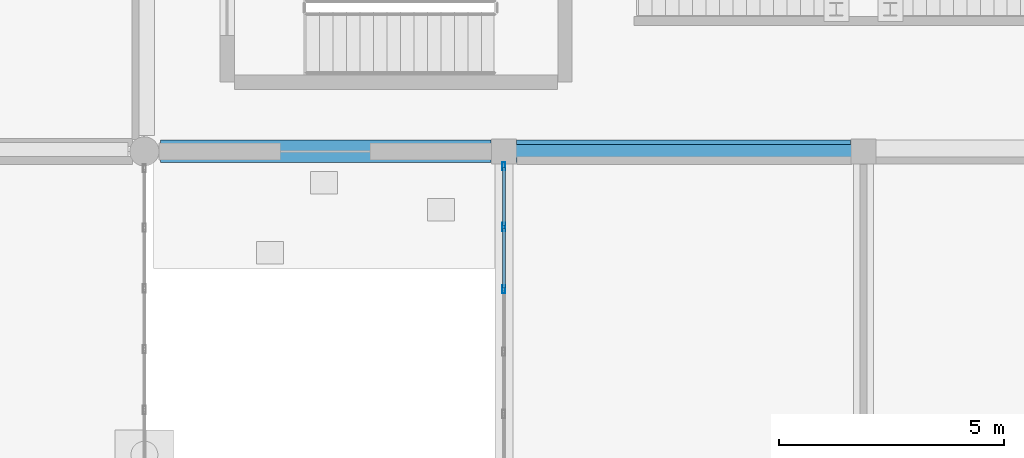
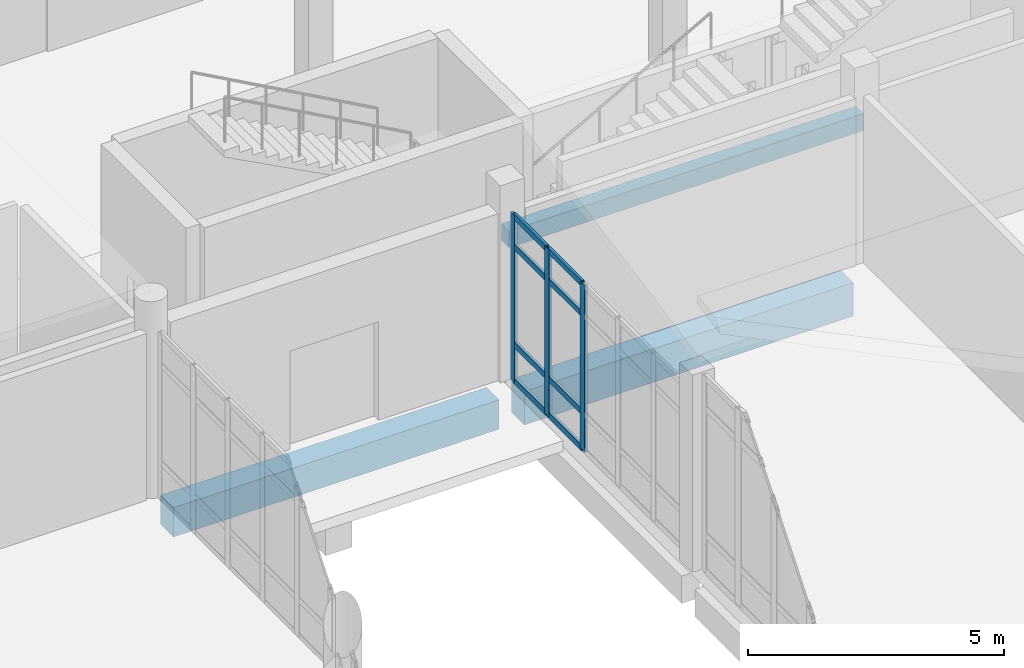
# One storey, part 79 of 173: 11 members, 3 beams, 1 element without a shape of its own.
"""IFC4 building model written with IfcOpenShell, lengths in metres."""

from ifc_helpers import new_model, si_unit, direction, frame, origin, origin_2d, place, context, subcontext, project, spatial, rectangle, hollow_rectangle, extrude, material, layer, layer_set, material_profile, profile_set, type_object, element, aggregate, save


model = new_model("IFC4")

# Units and contexts
model_context = context("Model", 3, precision=1e-05, world=origin(), true_north=direction((0.0, 1.0)))
body_context = subcontext(model_context, "Body", "Model", "MODEL_VIEW")
ifc_project = project(units=[si_unit("LENGTHUNIT", "METRE"), si_unit("AREAUNIT", "SQUARE_METRE"), si_unit("VOLUMEUNIT", "CUBIC_METRE"), si_unit("PLANEANGLEUNIT", "RADIAN"), si_unit("MASSUNIT", "GRAM", prefix="KILO")], contexts=[model_context])

# Site, building, storey
site_placement = place(None, origin())
site = spatial("IfcSite", under=ifc_project, at=site_placement, CompositionType="ELEMENT")
building_placement = place(site_placement, origin())
building = spatial("IfcBuilding", under=site, at=building_placement, Name="Mawjan Specialist Oncology Clinic", CompositionType="ELEMENT")
storey_placement = place(building_placement, origin())
storey = spatial("IfcBuildingStorey", under=building, at=storey_placement, Name="L00", CompositionType="ELEMENT", Elevation=0.0)

# Beam
ifc_material_1 = material(Name="Concrete C45/55", Category="concrete")
ifc_material_profile_1 = material_profile(ifc_material_1, rectangle(XDim=0.5, YDim=0.800048828125, at=origin_2d()), Name="RC BM 500x800", Category="concrete")
ifc_profile_set_1 = profile_set([ifc_material_profile_1], Name="Concrete C45/55")
beam_type_1 = type_object("IfcBeamType", Name="BM-500x800", PredefinedType="BEAM", material=ifc_profile_set_1)
beam_1_placement = place(storey_placement, frame((116.284912109375, 75.800048828125, -0.820068359375), z_axis=(1.0, 0.0, 0.0), x_axis=(0.0, 1.0, 0.0)))
element("IfcBeam", 1, at=beam_1_placement, inside=storey, type_object=beam_type_1, Name="L00 Collector Beam BM-L00-0020", PredefinedType="BEAM", context=body_context, shape_type="SweptSolid", body=[
    extrude(rectangle(XDim=0.5, YDim=0.800048828125, at=origin_2d()), origin(), (0.0, 0.0, 1.0), 7.43017578125),
])

# Curtain wall, members
ifc_material_2 = material(Name="Unitised spectrally selective aluminium curtain wall", Category="aluminium")
ifc_layer = layer(ifc_material_2, 0.179931640625, Name="Unitised spectrally selective aluminium curtain wall", Category="aluminium")
ifc_layer_set = layer_set([ifc_layer], Name="Unitised spectrally selective aluminium curtain wall")
curtain_wall_type = type_object("IfcCurtainWallType", Name="CW-30", PredefinedType="NOTDEFINED", material=ifc_layer_set)
curtain_wall_placement = place(storey_placement, origin())
curtain_wall = element("IfcCurtainWall", 2, at=curtain_wall_placement, inside=storey, type_object=curtain_wall_type, Name="L00 Unitised Curtain Wall CW-L00-066", PredefinedType="NOTDEFINED")
ifc_material_3 = material(Name="Thermally broken aluminium 6063-T6", Category="aluminium")
ifc_material_profile_2 = material_profile(ifc_material_3, hollow_rectangle(XDim=0.06494140625, YDim=0.179931640625, WallThickness=0.00390625, at=origin_2d()), Name="ALU MULLION 180x65x4", Category="aluminium")
ifc_profile_set_2 = profile_set([ifc_material_profile_2], Name="Thermally broken aluminium 6063-T6")
member_type_1 = type_object("IfcMemberType", Name="CW-M180", PredefinedType="MULLION", material=ifc_profile_set_2)
member_1_placement = place(storey_placement, frame((116.0, 72.73095703125, 0.0), z_axis=(0.0, 0.0, 1.0), x_axis=(-1.0, 0.0, 0.0)))
member_1 = element("IfcMember", 3, at=member_1_placement, type_object=member_type_1, Name="CW-30 mullion 4", PredefinedType="MULLION", context=body_context, shape_type="SweptSolid", body=[
    extrude(hollow_rectangle(XDim=0.06494140625, YDim=0.179931640625, WallThickness=0.00390625, at=origin_2d()), origin(), (0.0, 0.0, 1.0), 3.985107421875),
])
member_2_placement = place(storey_placement, frame((116.0, 74.117919921875, 0.0), z_axis=(0.0, 0.0, 1.0), x_axis=(-1.0, 0.0, 0.0)))
member_2 = element("IfcMember", 4, at=member_2_placement, type_object=member_type_1, Name="CW-30 mullion 5", PredefinedType="MULLION", context=body_context, shape_type="SweptSolid", body=[
    extrude(hollow_rectangle(XDim=0.06494140625, YDim=0.179931640625, WallThickness=0.00390625, at=origin_2d()), origin(), (0.0, 0.0, 1.0), 3.985107421875),
])
member_3_placement = place(storey_placement, frame((116.0, 75.472412109375, 0.0), z_axis=(0.0, 0.0, 1.0), x_axis=(-1.0, 0.0, 0.0)))
member_3 = element("IfcMember", 5, at=member_3_placement, type_object=member_type_1, Name="CW-30 mullion 6", PredefinedType="MULLION", context=body_context, shape_type="SweptSolid", body=[
    extrude(hollow_rectangle(XDim=0.06494140625, YDim=0.179931640625, WallThickness=0.00390625, at=origin_2d()), origin(), (0.0, 0.0, 1.0), 3.985107421875),
])
ifc_material_4 = material(Name="Thermally broken aluminium 6063-T6", Category="aluminium")
ifc_material_profile_3 = material_profile(ifc_material_4, hollow_rectangle(XDim=0.06494140625, YDim=0.139892578125, WallThickness=0.00390625, at=origin_2d()), Name="ALU TRANSOM 140x65x4", Category="aluminium")
ifc_profile_set_3 = profile_set([ifc_material_profile_3], Name="Thermally broken aluminium 6063-T6")
member_type_2 = type_object("IfcMemberType", Name="CW-T140", PredefinedType="USERDEFINED", material=ifc_profile_set_3)
member_4_placement = place(storey_placement, frame((116.0, 72.763427734375, 0.032470703125), z_axis=(0.0, 1.0, 0.0), x_axis=(-1.0, 0.0, 0.0)))
member_4 = element("IfcMember", 6, at=member_4_placement, type_object=member_type_2, Name="CW-30 transom 4.1", ObjectType="TRANSOM", PredefinedType="USERDEFINED", context=body_context, shape_type="SweptSolid", body=[
    extrude(hollow_rectangle(XDim=0.06494140625, YDim=0.139892578125, WallThickness=0.00390625, at=origin_2d()), origin(), (0.0, 0.0, 1.0), 1.322021484375),
])
member_5_placement = place(storey_placement, frame((116.0, 72.763427734375, 0.89990234375), z_axis=(0.0, 1.0, 0.0), x_axis=(-1.0, 0.0, 0.0)))
member_5 = element("IfcMember", 7, at=member_5_placement, type_object=member_type_2, Name="CW-30 transom 4.2", ObjectType="TRANSOM", PredefinedType="USERDEFINED", context=body_context, shape_type="SweptSolid", body=[
    extrude(hollow_rectangle(XDim=0.06494140625, YDim=0.139892578125, WallThickness=0.00390625, at=origin_2d()), origin(), (0.0, 0.0, 1.0), 1.322021484375),
])
member_6_placement = place(storey_placement, frame((116.0, 72.763427734375, 3.235107421875), z_axis=(0.0, 1.0, 0.0), x_axis=(-1.0, 0.0, 0.0)))
member_6 = element("IfcMember", 8, at=member_6_placement, type_object=member_type_2, Name="CW-30 transom 4.3", ObjectType="TRANSOM", PredefinedType="USERDEFINED", context=body_context, shape_type="SweptSolid", body=[
    extrude(hollow_rectangle(XDim=0.06494140625, YDim=0.139892578125, WallThickness=0.00390625, at=origin_2d()), origin(), (0.0, 0.0, 1.0), 1.322021484375),
])
member_7_placement = place(storey_placement, frame((116.0, 72.763427734375, 3.952392578125), z_axis=(0.0, 1.0, 0.0), x_axis=(-1.0, 0.0, 0.0)))
member_7 = element("IfcMember", 9, at=member_7_placement, type_object=member_type_2, Name="CW-30 transom 4.4", ObjectType="TRANSOM", PredefinedType="USERDEFINED", context=body_context, shape_type="SweptSolid", body=[
    extrude(hollow_rectangle(XDim=0.06494140625, YDim=0.139892578125, WallThickness=0.00390625, at=origin_2d()), origin(), (0.0, 0.0, 1.0), 1.322021484375),
])
member_8_placement = place(storey_placement, frame((116.0, 74.150390625, 0.032470703125), z_axis=(0.0, 1.0, 0.0), x_axis=(-1.0, 0.0, 0.0)))
member_8 = element("IfcMember", 10, at=member_8_placement, type_object=member_type_2, Name="CW-30 transom 5.1", ObjectType="TRANSOM", PredefinedType="USERDEFINED", context=body_context, shape_type="SweptSolid", body=[
    extrude(hollow_rectangle(XDim=0.06494140625, YDim=0.139892578125, WallThickness=0.00390625, at=origin_2d()), origin(), (0.0, 0.0, 1.0), 1.28955078125),
])
member_9_placement = place(storey_placement, frame((116.0, 74.150390625, 0.89990234375), z_axis=(0.0, 1.0, 0.0), x_axis=(-1.0, 0.0, 0.0)))
member_9 = element("IfcMember", 11, at=member_9_placement, type_object=member_type_2, Name="CW-30 transom 5.2", ObjectType="TRANSOM", PredefinedType="USERDEFINED", context=body_context, shape_type="SweptSolid", body=[
    extrude(hollow_rectangle(XDim=0.06494140625, YDim=0.139892578125, WallThickness=0.00390625, at=origin_2d()), origin(), (0.0, 0.0, 1.0), 1.28955078125),
])
member_10_placement = place(storey_placement, frame((116.0, 74.150390625, 3.235107421875), z_axis=(0.0, 1.0, 0.0), x_axis=(-1.0, 0.0, 0.0)))
member_10 = element("IfcMember", 12, at=member_10_placement, type_object=member_type_2, Name="CW-30 transom 5.3", ObjectType="TRANSOM", PredefinedType="USERDEFINED", context=body_context, shape_type="SweptSolid", body=[
    extrude(hollow_rectangle(XDim=0.06494140625, YDim=0.139892578125, WallThickness=0.00390625, at=origin_2d()), origin(), (0.0, 0.0, 1.0), 1.28955078125),
])
member_11_placement = place(storey_placement, frame((116.0, 74.150390625, 3.952392578125), z_axis=(0.0, 1.0, 0.0), x_axis=(-1.0, 0.0, 0.0)))
member_11 = element("IfcMember", 13, at=member_11_placement, type_object=member_type_2, Name="CW-30 transom 5.4", ObjectType="TRANSOM", PredefinedType="USERDEFINED", context=body_context, shape_type="SweptSolid", body=[
    extrude(hollow_rectangle(XDim=0.06494140625, YDim=0.139892578125, WallThickness=0.00390625, at=origin_2d()), origin(), (0.0, 0.0, 1.0), 1.28955078125),
])
aggregate(curtain_wall, [member_1, member_2, member_3, member_4, member_5, member_6, member_7, member_8, member_9, member_10, member_11])

# Beams
ifc_material_5 = material(Name="Concrete C40/50", Category="concrete")
ifc_material_profile_4 = material_profile(ifc_material_5, rectangle(XDim=0.300048828125, YDim=0.39990234375, at=origin_2d()), Name="RC LINTEL 300x400", Category="concrete")
ifc_profile_set_4 = profile_set([ifc_material_profile_4], Name="Concrete C40/50")
beam_type_2 = type_object("IfcBeamType", Name="LNT-300", PredefinedType="LINTEL", material=ifc_profile_set_4)
beam_2_placement = place(storey_placement, frame((116.0, 75.800048828125, 3.25), z_axis=(1.0, 0.0, 0.0), x_axis=(0.0, 1.0, 0.0)))
element("IfcBeam", 14, at=beam_2_placement, inside=storey, type_object=beam_type_2, Name="L00 Reinforced Concrete Lintel 5", PredefinedType="LINTEL", context=body_context, shape_type="SweptSolid", body=[
    extrude(rectangle(XDim=0.300048828125, YDim=0.39990234375, at=origin_2d()), origin(), (0.0, 0.0, 1.0), 8.0),
])
ifc_material_6 = material(Name="Concrete C45/55", Category="concrete")
ifc_material_profile_5 = material_profile(ifc_material_6, rectangle(XDim=0.5, YDim=0.699951171875, at=origin_2d()), Name="RC BM 500x700", Category="concrete")
ifc_profile_set_5 = profile_set([ifc_material_profile_5], Name="Concrete C45/55")
beam_type_3 = type_object("IfcBeamType", Name="SP-500x700", PredefinedType="SPANDREL", material=ifc_profile_set_5)
beam_3_placement = place(storey_placement, frame((108.360107421875, 75.800048828125, -0.77001953125), z_axis=(1.0, 0.0, 0.0), x_axis=(0.0, 1.0, 0.0)))
element("IfcBeam", 15, at=beam_3_placement, inside=storey, type_object=beam_type_3, Name="L00 Spandrel Beam BM-L00-0019", PredefinedType="SPANDREL", context=body_context, shape_type="SweptSolid", body=[
    extrude(rectangle(XDim=0.5, YDim=0.699951171875, at=origin_2d()), origin(), (0.0, 0.0, 1.0), 7.35498046875),
])

save(model, "model.ifc")
